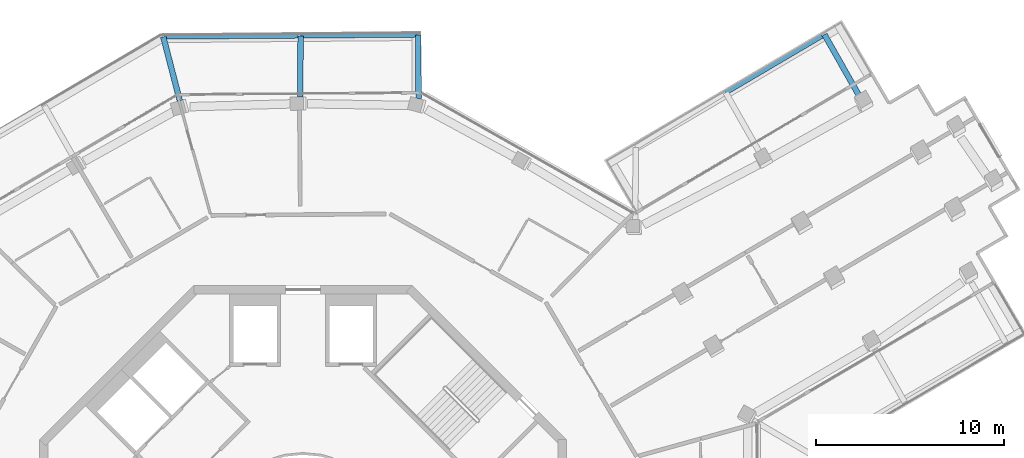
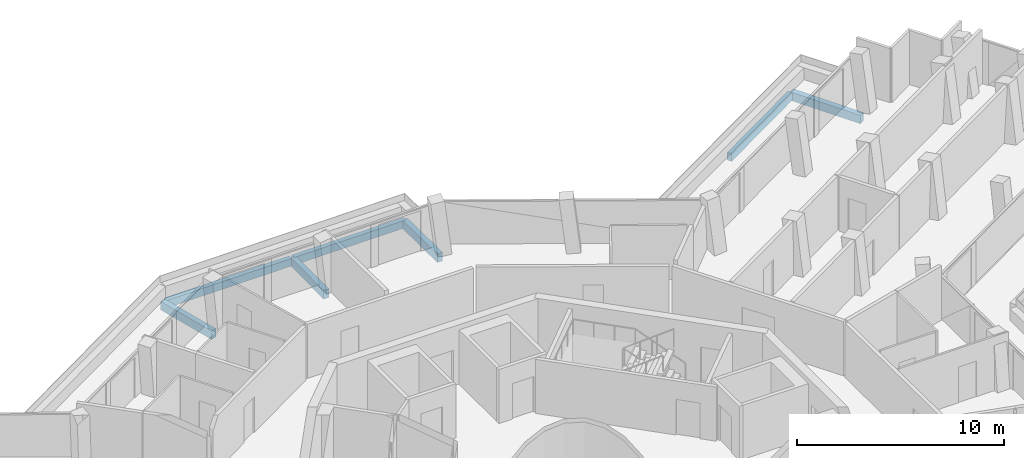
# One storey, part 11 of 26: 7 beams.
"""IFC4 building model written with IfcOpenShell, lengths in metres."""

from ifc_helpers import new_model, si_unit, direction, frame, origin, origin_2d, place, context, subcontext, project, spatial, rectangle, extrude, material, material_profile, profile_set, type_object, element, save


model = new_model("IFC4")

# Units and contexts
model_context = context("Model", 3, precision=1e-05, world=origin(), true_north=direction((0.0, 1.0)))
body_context = subcontext(model_context, "Body", "Model", "MODEL_VIEW")
ifc_project = project(units=[si_unit("LENGTHUNIT", "METRE"), si_unit("AREAUNIT", "SQUARE_METRE"), si_unit("VOLUMEUNIT", "CUBIC_METRE"), si_unit("PLANEANGLEUNIT", "RADIAN"), si_unit("MASSUNIT", "GRAM", prefix="KILO")], contexts=[model_context])

# Site, building, storey
site_placement = place(None, origin())
site = spatial("IfcSite", under=ifc_project, at=site_placement, CompositionType="ELEMENT")
building_placement = place(site_placement, origin())
building = spatial("IfcBuilding", under=site, at=building_placement, Name="Verdalira Terraces Hotel", CompositionType="ELEMENT")
storey_placement = place(building_placement, frame((0.0, 0.0, 281.0)))
storey = spatial("IfcBuildingStorey", under=building, at=storey_placement, Name="L69", CompositionType="ELEMENT", Elevation=281.0)

# Beams
ifc_material_1 = material(Name="Concrete C40", Category="concrete")
ifc_material_profile_1 = material_profile(ifc_material_1, rectangle(XDim=0.300049, YDim=0.5, at=origin_2d()), Name="RC 300X500")
ifc_profile_set_1 = profile_set([ifc_material_profile_1], Name="Concrete C40")
beam_type_1 = type_object("IfcBeamType", Name="Balcony cantilever beam RC 300X500 C40", PredefinedType="BEAM", material=ifc_profile_set_1)
beam_1_placement = place(storey_placement, frame((29.640625, 23.902588, -0.560059), z_axis=(-0.4927418, 0.870175568, 0.0), x_axis=(-0.870175568, -0.4927418, 0.0)))
element("IfcBeam", 1, at=beam_1_placement, inside=storey, type_object=beam_type_1, Name="Balcony cantilever beam R38-1", PredefinedType="BEAM", context=body_context, shape_type="SweptSolid", body=[
    extrude(rectangle(XDim=0.300049, YDim=0.5, at=origin_2d()), origin(), (0.0, 0.0, 1.0), 3.936035),
])
beam_2_placement = place(storey_placement, frame((6.13623, 23.925049, -0.560059), z_axis=(-0.008364891, 0.999965014, 0.0), x_axis=(-0.999965014, -0.008364891, 0.0)))
element("IfcBeam", 2, at=beam_2_placement, inside=storey, type_object=beam_type_1, Name="Balcony cantilever beam R40-3", PredefinedType="BEAM", context=body_context, shape_type="SweptSolid", body=[
    extrude(rectangle(XDim=0.300049, YDim=0.5, at=origin_2d()), origin(), (0.0, 0.0, 1.0), 3.385498),
])
beam_3_placement = place(storey_placement, frame((-0.160156, 24.007568, -0.560059), z_axis=(0.008411268, 0.999964625, 0.0), x_axis=(-0.999964625, 0.008411268, 0.0)))
element("IfcBeam", 3, at=beam_3_placement, inside=storey, type_object=beam_type_1, Name="Balcony cantilever beam R40-4", PredefinedType="BEAM", context=body_context, shape_type="SweptSolid", body=[
    extrude(rectangle(XDim=0.300049, YDim=0.5, at=origin_2d()), origin(), (0.0, 0.0, 1.0), 3.250732),
])
beam_4_placement = place(storey_placement, frame((-6.551514, 23.812988, -0.560059), z_axis=(-0.250712933, 0.968061478, 0.0), x_axis=(-0.968061478, -0.250712933, 0.0)))
element("IfcBeam", 4, at=beam_4_placement, inside=storey, type_object=beam_type_1, Name="Balcony cantilever beam R40-5", PredefinedType="BEAM", context=body_context, shape_type="SweptSolid", body=[
    extrude(rectangle(XDim=0.300049, YDim=0.5, at=origin_2d()), origin(), (0.0, 0.0, 1.0), 3.501709),
])
ifc_material_2 = material(Name="Concrete C40", Category="concrete")
ifc_material_profile_2 = material_profile(ifc_material_2, rectangle(XDim=0.25, YDim=0.449951, at=origin_2d()), Name="RC 250X450")
ifc_profile_set_2 = profile_set([ifc_material_profile_2], Name="Concrete C40")
beam_type_2 = type_object("IfcBeamType", Name="Balcony edge beam RC 250X450 C40", PredefinedType="BEAM", material=ifc_profile_set_2)
beam_5_placement = place(storey_placement, frame((27.572021, 27.251465, -0.534912), z_axis=(-0.861813653, -0.507225026, 0.0), x_axis=(0.507225026, -0.861813653, 0.0)))
element("IfcBeam", 5, at=beam_5_placement, inside=storey, type_object=beam_type_2, Name="Balcony edge beam R38-1", PredefinedType="BEAM", context=body_context, shape_type="SweptSolid", body=[
    extrude(rectangle(XDim=0.25, YDim=0.449951, at=origin_2d()), origin(), (0.0, 0.0, 1.0), 5.935791),
])
beam_6_placement = place(storey_placement, frame((6.10791, 27.310547, -0.534912), z_axis=(-0.999964958, -0.008371509, 0.0), x_axis=(0.008371509, -0.999964958, 0.0)))
element("IfcBeam", 6, at=beam_6_placement, inside=storey, type_object=beam_type_2, Name="Balcony edge beam R40-2", PredefinedType="BEAM", context=body_context, shape_type="SweptSolid", body=[
    extrude(rectangle(XDim=0.25, YDim=0.449951, at=origin_2d()), origin(), (0.0, 0.0, 1.0), 6.240967),
])
beam_7_placement = place(storey_placement, frame((-0.282959, 27.25708, -0.534912), z_axis=(-0.999971293, -0.007577127, 0.0), x_axis=(0.007577127, -0.999971293, 0.0)))
element("IfcBeam", 7, at=beam_7_placement, inside=storey, type_object=beam_type_2, Name="Balcony edge beam R40-3", PredefinedType="BEAM", context=body_context, shape_type="SweptSolid", body=[
    extrude(rectangle(XDim=0.25, YDim=0.449951, at=origin_2d()), origin(), (0.0, 0.0, 1.0), 6.991943),
])

save(model, "model.ifc")
